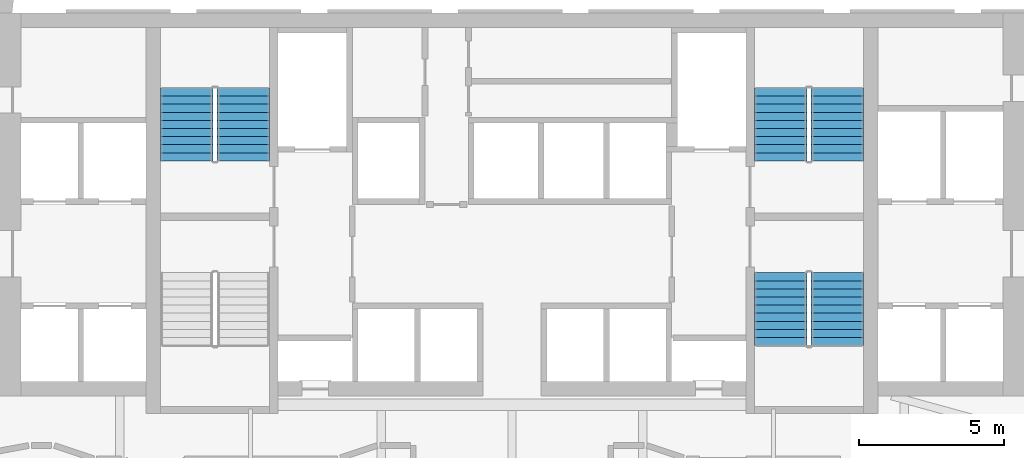
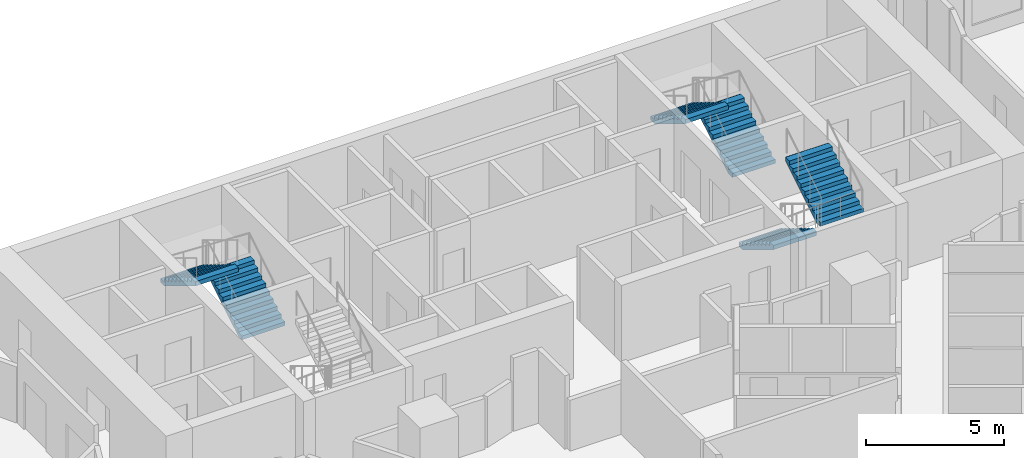
# One storey, part 11 of 12: 6 stair flights, 3 elements without a shape of their own.
"""IFC4 building model written with IfcOpenShell, lengths in metres."""

from ifc_helpers import new_model, si_unit, direction, frame, origin, place, context, subcontext, project, spatial, faceted_brep, source, transform, mapped, material, type_object, element, aggregate, save


model = new_model("IFC4")

# Units and contexts
model_context = context("Model", 3, precision=1e-05, world=origin(), true_north=direction((0.0, 1.0)))
body_context = subcontext(model_context, "Body", "Model", "MODEL_VIEW")
ifc_project = project(units=[si_unit("LENGTHUNIT", "METRE"), si_unit("AREAUNIT", "SQUARE_METRE"), si_unit("VOLUMEUNIT", "CUBIC_METRE"), si_unit("PLANEANGLEUNIT", "RADIAN"), si_unit("MASSUNIT", "GRAM", prefix="KILO")], contexts=[model_context])

# Site, building, storey
site_placement = place(None, origin())
site = spatial("IfcSite", under=ifc_project, at=site_placement, CompositionType="ELEMENT")
building_placement = place(site_placement, origin())
building = spatial("IfcBuilding", under=site, at=building_placement, Name="Calabash Gate Tower", CompositionType="ELEMENT")
storey_placement = place(building_placement, frame((0.0, 0.0, 80.0)))
storey = spatial("IfcBuildingStorey", under=building, at=storey_placement, Name="L16", CompositionType="ELEMENT", Elevation=80.0)

# Stair, stair flights
ifc_material_1 = material(Name="Concrete C40/50", Category="concrete")
stair_type = type_object("IfcStairType", Name="Exit stair 20 risers of 170 mm", PredefinedType="HALF_TURN_STAIR", material=ifc_material_1)
stair_1_placement = place(storey_placement, origin())
stair_1 = element("IfcStair", 1, at=stair_1_placement, inside=storey, type_object=stair_type, Name="L16 Exit stair ST1", PredefinedType="HALF_TURN_STAIR")
ifc_material_2 = material(Name="Concrete C40/50", Category="concrete")
stair_flight_type = type_object("IfcStairFlightType", Name="Exit stair flight SFL", PredefinedType="STRAIGHT", material=ifc_material_2)
shared_shape = source(origin(), body_context, "Body", "Brep", [
    faceted_brep([(-0.0009765625, -0.89990234375, 0.0), (0.2880859375, -0.89990234375, 0.0), (2.511962890625, -0.89990234375, 1.3544921875), (-0.0009765625, 0.89990234375, 0.0), (2.511962890625, 0.89990234375, 1.3544921875), (0.2880859375, 0.89990234375, 0.0), (2.511962890625, -0.89990234375, 1.5419921875), (2.510986328125, -0.89990234375, 1.5419921875), (2.510986328125, 0.89990234375, 1.5419921875), (2.511962890625, 0.89990234375, 1.5419921875), (2.510986328125, -0.89990234375, 1.530029296875), (2.510986328125, 0.89990234375, 1.530029296875), (2.23193359375, -0.89990234375, 1.530029296875), (2.23193359375, 0.89990234375, 1.530029296875), (2.23193359375, -0.89990234375, 1.360107421875), (2.23193359375, 0.89990234375, 1.360107421875), (1.952880859375, -0.89990234375, 1.360107421875), (1.952880859375, 0.89990234375, 1.360107421875), (1.952880859375, -0.89990234375, 1.18994140625), (1.952880859375, 0.89990234375, 1.18994140625), (1.674072265625, -0.89990234375, 1.18994140625), (1.674072265625, -0.89990234375, 1.02001953125), (1.674072265625, 0.89990234375, 1.02001953125), (1.674072265625, 0.89990234375, 1.18994140625), (1.39501953125, -0.89990234375, 1.02001953125), (1.39501953125, -0.89990234375, 0.85009765625), (1.39501953125, 0.89990234375, 0.85009765625), (1.39501953125, 0.89990234375, 1.02001953125), (1.115966796875, -0.89990234375, 0.85009765625), (1.115966796875, -0.89990234375, 0.679931640625), (1.115966796875, 0.89990234375, 0.679931640625), (1.115966796875, 0.89990234375, 0.85009765625), (0.8369140625, -0.89990234375, 0.679931640625), (0.8369140625, -0.89990234375, 0.510009765625), (0.8369140625, 0.89990234375, 0.510009765625), (0.8369140625, 0.89990234375, 0.679931640625), (0.55810546875, -0.89990234375, 0.510009765625), (0.55810546875, -0.89990234375, 0.340087890625), (0.55810546875, 0.89990234375, 0.340087890625), (0.55810546875, 0.89990234375, 0.510009765625), (0.279052734375, -0.89990234375, 0.340087890625), (0.279052734375, -0.89990234375, 0.169921875), (0.279052734375, 0.89990234375, 0.169921875), (0.279052734375, 0.89990234375, 0.340087890625), (-0.0009765625, -0.89990234375, 0.169921875), (-0.0009765625, 0.89990234375, 0.169921875), (0.2880859375, -0.360107421875, 0.0), (2.511962890625, -0.360107421875, 1.3544921875), (0.2880859375, -0.179931640625, 0.0), (2.511962890625, -0.179931640625, 1.3544921875), (0.2880859375, 0.0, 0.0), (2.511962890625, 0.0, 1.3544921875), (0.2880859375, 0.179931640625, 0.0), (2.511962890625, 0.179931640625, 1.3544921875), (0.2880859375, 0.360107421875, 0.0), (2.511962890625, 0.360107421875, 1.3544921875), (2.511962890625, -0.360107421875, 1.5419921875), (2.511962890625, -0.179931640625, 1.5419921875), (2.511962890625, 0.0, 1.5419921875), (2.511962890625, 0.179931640625, 1.5419921875), (2.511962890625, 0.360107421875, 1.5419921875), (2.510986328125, -0.360107421875, 1.5419921875), (2.510986328125, -0.179931640625, 1.5419921875), (2.510986328125, 0.0, 1.5419921875), (2.510986328125, 0.179931640625, 1.5419921875), (2.510986328125, 0.360107421875, 1.5419921875), (2.510986328125, -0.360107421875, 1.530029296875), (2.510986328125, -0.179931640625, 1.530029296875), (2.510986328125, 0.0, 1.530029296875), (2.510986328125, 0.179931640625, 1.530029296875), (2.510986328125, 0.360107421875, 1.530029296875), (2.23193359375, -0.360107421875, 1.530029296875), (2.23193359375, -0.179931640625, 1.530029296875), (2.23193359375, 0.0, 1.530029296875), (2.23193359375, 0.179931640625, 1.530029296875), (2.23193359375, 0.360107421875, 1.530029296875), (2.23193359375, -0.360107421875, 1.360107421875), (2.23193359375, -0.179931640625, 1.360107421875), (2.23193359375, 0.0, 1.360107421875), (2.23193359375, 0.179931640625, 1.360107421875), (2.23193359375, 0.360107421875, 1.360107421875), (1.952880859375, -0.360107421875, 1.360107421875), (1.952880859375, -0.179931640625, 1.360107421875), (1.952880859375, 0.0, 1.360107421875), (1.952880859375, 0.179931640625, 1.360107421875), (1.952880859375, 0.360107421875, 1.360107421875), (1.952880859375, -0.360107421875, 1.18994140625), (1.952880859375, -0.179931640625, 1.18994140625), (1.952880859375, 0.0, 1.18994140625), (1.952880859375, 0.179931640625, 1.18994140625), (1.952880859375, 0.360107421875, 1.18994140625), (1.674072265625, -0.360107421875, 1.18994140625), (1.674072265625, -0.179931640625, 1.18994140625), (1.674072265625, 0.0, 1.18994140625), (1.674072265625, 0.179931640625, 1.18994140625), (1.674072265625, 0.360107421875, 1.18994140625), (1.674072265625, -0.360107421875, 1.02001953125), (1.674072265625, -0.179931640625, 1.02001953125), (1.674072265625, 0.0, 1.02001953125), (1.674072265625, 0.179931640625, 1.02001953125), (1.674072265625, 0.360107421875, 1.02001953125), (1.39501953125, -0.360107421875, 1.02001953125), (1.39501953125, -0.179931640625, 1.02001953125), (1.39501953125, 0.0, 1.02001953125), (1.39501953125, 0.179931640625, 1.02001953125), (1.39501953125, 0.360107421875, 1.02001953125), (1.39501953125, -0.360107421875, 0.85009765625), (1.39501953125, -0.179931640625, 0.85009765625), (1.39501953125, 0.0, 0.85009765625), (1.39501953125, 0.179931640625, 0.85009765625), (1.39501953125, 0.360107421875, 0.85009765625), (1.115966796875, -0.360107421875, 0.85009765625), (1.115966796875, -0.179931640625, 0.85009765625), (1.115966796875, 0.0, 0.85009765625), (1.115966796875, 0.179931640625, 0.85009765625), (1.115966796875, 0.360107421875, 0.85009765625), (1.115966796875, -0.360107421875, 0.679931640625), (1.115966796875, -0.179931640625, 0.679931640625), (1.115966796875, 0.0, 0.679931640625), (1.115966796875, 0.179931640625, 0.679931640625), (1.115966796875, 0.360107421875, 0.679931640625), (0.8369140625, -0.360107421875, 0.679931640625), (0.8369140625, -0.179931640625, 0.679931640625), (0.8369140625, 0.0, 0.679931640625), (0.8369140625, 0.179931640625, 0.679931640625), (0.8369140625, 0.360107421875, 0.679931640625), (0.8369140625, -0.360107421875, 0.510009765625), (0.8369140625, -0.179931640625, 0.510009765625), (0.8369140625, 0.0, 0.510009765625), (0.8369140625, 0.179931640625, 0.510009765625), (0.8369140625, 0.360107421875, 0.510009765625), (0.55810546875, -0.360107421875, 0.510009765625), (0.55810546875, -0.179931640625, 0.510009765625), (0.55810546875, 0.0, 0.510009765625), (0.55810546875, 0.179931640625, 0.510009765625), (0.55810546875, 0.360107421875, 0.510009765625), (0.55810546875, -0.360107421875, 0.340087890625), (0.55810546875, -0.179931640625, 0.340087890625), (0.55810546875, 0.0, 0.340087890625), (0.55810546875, 0.179931640625, 0.340087890625), (0.55810546875, 0.360107421875, 0.340087890625), (0.279052734375, -0.360107421875, 0.340087890625), (0.279052734375, -0.179931640625, 0.340087890625), (0.279052734375, 0.0, 0.340087890625), (0.279052734375, 0.179931640625, 0.340087890625), (0.279052734375, 0.360107421875, 0.340087890625), (0.279052734375, -0.360107421875, 0.169921875), (0.279052734375, -0.179931640625, 0.169921875), (0.279052734375, 0.0, 0.169921875), (0.279052734375, 0.179931640625, 0.169921875), (0.279052734375, 0.360107421875, 0.169921875), (-0.0009765625, -0.360107421875, 0.169921875), (-0.0009765625, -0.179931640625, 0.169921875), (-0.0009765625, 0.0, 0.169921875), (-0.0009765625, 0.179931640625, 0.169921875), (-0.0009765625, 0.360107421875, 0.169921875), (-0.0009765625, -0.360107421875, 0.0), (-0.0009765625, -0.179931640625, 0.0), (-0.0009765625, 0.0, 0.0), (-0.0009765625, 0.179931640625, 0.0), (-0.0009765625, 0.360107421875, 0.0)], [[[0, 1, 2]], [[3, 4, 5]], [[2, 6, 7]], [[4, 8, 9]], [[2, 7, 10]], [[4, 11, 8]], [[2, 10, 12]], [[4, 13, 11]], [[2, 12, 14]], [[4, 15, 13]], [[2, 14, 16]], [[4, 17, 15]], [[2, 16, 18]], [[4, 19, 17]], [[18, 20, 21]], [[19, 22, 23]], [[2, 18, 21]], [[4, 22, 19]], [[21, 24, 25]], [[22, 26, 27]], [[2, 21, 25]], [[4, 26, 22]], [[25, 28, 29]], [[26, 30, 31]], [[2, 25, 29]], [[4, 30, 26]], [[29, 32, 33]], [[30, 34, 35]], [[2, 29, 33]], [[4, 34, 30]], [[33, 36, 37]], [[34, 38, 39]], [[2, 33, 37]], [[4, 38, 34]], [[37, 40, 41]], [[38, 42, 43]], [[2, 37, 41]], [[4, 42, 38]], [[0, 2, 41]], [[3, 42, 4]], [[41, 44, 0]], [[42, 3, 45]], [[1, 46, 2]], [[46, 47, 2]], [[46, 48, 47]], [[48, 49, 47]], [[48, 50, 49]], [[50, 51, 49]], [[50, 52, 53]], [[50, 53, 51]], [[52, 54, 55]], [[52, 55, 53]], [[54, 5, 4]], [[54, 4, 55]], [[2, 47, 6]], [[47, 56, 6]], [[47, 49, 56]], [[49, 57, 56]], [[49, 51, 57]], [[51, 58, 57]], [[51, 53, 59]], [[51, 59, 58]], [[53, 55, 60]], [[53, 60, 59]], [[55, 4, 9]], [[55, 9, 60]], [[6, 56, 7]], [[56, 61, 7]], [[56, 57, 61]], [[57, 62, 61]], [[57, 58, 62]], [[58, 63, 62]], [[58, 59, 64]], [[58, 64, 63]], [[59, 60, 65]], [[59, 65, 64]], [[60, 9, 8]], [[60, 8, 65]], [[7, 61, 10]], [[61, 66, 10]], [[61, 62, 66]], [[62, 67, 66]], [[62, 63, 67]], [[63, 68, 67]], [[63, 64, 69]], [[63, 69, 68]], [[64, 65, 70]], [[64, 70, 69]], [[65, 8, 11]], [[65, 11, 70]], [[10, 66, 12]], [[66, 71, 12]], [[66, 67, 71]], [[67, 72, 71]], [[67, 68, 72]], [[68, 73, 72]], [[68, 69, 74]], [[68, 74, 73]], [[69, 70, 75]], [[69, 75, 74]], [[70, 11, 13]], [[70, 13, 75]], [[12, 71, 14]], [[71, 76, 14]], [[71, 72, 76]], [[72, 77, 76]], [[72, 73, 77]], [[73, 78, 77]], [[73, 74, 79]], [[73, 79, 78]], [[74, 75, 80]], [[74, 80, 79]], [[75, 13, 15]], [[75, 15, 80]], [[14, 76, 16]], [[76, 81, 16]], [[76, 77, 81]], [[77, 82, 81]], [[77, 78, 82]], [[78, 83, 82]], [[78, 79, 84]], [[78, 84, 83]], [[79, 80, 85]], [[79, 85, 84]], [[80, 15, 17]], [[80, 17, 85]], [[16, 81, 18]], [[81, 86, 18]], [[81, 82, 86]], [[82, 87, 86]], [[82, 83, 87]], [[83, 88, 87]], [[83, 84, 89]], [[83, 89, 88]], [[84, 85, 90]], [[84, 90, 89]], [[85, 17, 19]], [[85, 19, 90]], [[18, 86, 20]], [[86, 91, 20]], [[86, 87, 91]], [[87, 92, 91]], [[87, 88, 92]], [[88, 93, 92]], [[88, 89, 94]], [[88, 94, 93]], [[89, 90, 95]], [[89, 95, 94]], [[90, 19, 23]], [[90, 23, 95]], [[20, 91, 21]], [[91, 96, 21]], [[91, 92, 96]], [[92, 97, 96]], [[92, 93, 97]], [[93, 98, 97]], [[93, 94, 99]], [[93, 99, 98]], [[94, 95, 100]], [[94, 100, 99]], [[95, 23, 22]], [[95, 22, 100]], [[21, 96, 24]], [[96, 101, 24]], [[96, 97, 101]], [[97, 102, 101]], [[97, 98, 102]], [[98, 103, 102]], [[98, 99, 104]], [[98, 104, 103]], [[99, 100, 105]], [[99, 105, 104]], [[100, 22, 27]], [[100, 27, 105]], [[24, 101, 25]], [[101, 106, 25]], [[101, 102, 106]], [[102, 107, 106]], [[102, 103, 107]], [[103, 108, 107]], [[103, 104, 109]], [[103, 109, 108]], [[104, 105, 110]], [[104, 110, 109]], [[105, 27, 26]], [[105, 26, 110]], [[25, 106, 28]], [[106, 111, 28]], [[106, 107, 111]], [[107, 112, 111]], [[107, 108, 112]], [[108, 113, 112]], [[108, 109, 114]], [[108, 114, 113]], [[109, 110, 115]], [[109, 115, 114]], [[110, 26, 31]], [[110, 31, 115]], [[28, 111, 29]], [[111, 116, 29]], [[111, 112, 116]], [[112, 117, 116]], [[112, 113, 117]], [[113, 118, 117]], [[113, 114, 119]], [[113, 119, 118]], [[114, 115, 120]], [[114, 120, 119]], [[115, 31, 30]], [[115, 30, 120]], [[29, 116, 32]], [[116, 121, 32]], [[116, 117, 121]], [[117, 122, 121]], [[117, 118, 122]], [[118, 123, 122]], [[118, 119, 124]], [[118, 124, 123]], [[119, 120, 125]], [[119, 125, 124]], [[120, 30, 35]], [[120, 35, 125]], [[32, 121, 33]], [[121, 126, 33]], [[121, 122, 126]], [[122, 127, 126]], [[122, 123, 127]], [[123, 128, 127]], [[123, 124, 129]], [[123, 129, 128]], [[124, 125, 130]], [[124, 130, 129]], [[125, 35, 34]], [[125, 34, 130]], [[33, 126, 36]], [[126, 131, 36]], [[126, 127, 131]], [[127, 132, 131]], [[127, 128, 132]], [[128, 133, 132]], [[128, 129, 134]], [[128, 134, 133]], [[129, 130, 135]], [[129, 135, 134]], [[130, 34, 39]], [[130, 39, 135]], [[36, 131, 37]], [[131, 136, 37]], [[131, 132, 136]], [[132, 137, 136]], [[132, 133, 137]], [[133, 138, 137]], [[133, 134, 139]], [[133, 139, 138]], [[134, 135, 140]], [[134, 140, 139]], [[135, 39, 38]], [[135, 38, 140]], [[37, 136, 40]], [[136, 141, 40]], [[136, 137, 141]], [[137, 142, 141]], [[137, 138, 142]], [[138, 143, 142]], [[138, 139, 144]], [[138, 144, 143]], [[139, 140, 145]], [[139, 145, 144]], [[140, 38, 43]], [[140, 43, 145]], [[40, 141, 41]], [[141, 146, 41]], [[141, 142, 146]], [[142, 147, 146]], [[142, 143, 147]], [[143, 148, 147]], [[143, 144, 149]], [[143, 149, 148]], [[144, 145, 150]], [[144, 150, 149]], [[145, 43, 42]], [[145, 42, 150]], [[41, 146, 44]], [[146, 151, 44]], [[146, 147, 151]], [[147, 152, 151]], [[147, 148, 152]], [[148, 153, 152]], [[148, 149, 154]], [[148, 154, 153]], [[149, 150, 155]], [[149, 155, 154]], [[150, 42, 45]], [[150, 45, 155]], [[44, 151, 0]], [[151, 156, 0]], [[151, 152, 156]], [[152, 157, 156]], [[152, 153, 157]], [[153, 158, 157]], [[153, 154, 159]], [[153, 159, 158]], [[154, 155, 160]], [[154, 160, 159]], [[155, 45, 3]], [[155, 3, 160]], [[0, 156, 1]], [[156, 46, 1]], [[156, 157, 46]], [[157, 48, 46]], [[157, 158, 48]], [[158, 50, 48]], [[158, 159, 52]], [[158, 52, 50]], [[159, 160, 54]], [[159, 54, 52]], [[160, 3, 5]], [[160, 5, 54]]]),
])
stair_flight_1_placement = place(storey_placement, frame((-9.25, 13.95263671875, 0.0), z_axis=(0.0, 0.0, 1.0), x_axis=(0.0, 1.0, 0.0)))
stair_flight_1 = element("IfcStairFlight", 2, at=stair_flight_1_placement, type_object=stair_flight_type, Name="ST1 flight 1", NumberOfRisers=10, NumberOfTreads=9, PredefinedType="STRAIGHT", RiserHeight=0.17, TreadLength=0.279, context=body_context, shape_type="MappedRepresentation", body=[
    mapped(shared_shape, transform((0.0, 0.0, 0.0), scale=1.0)),
])
stair_flight_2_placement = place(storey_placement, frame((-11.199951171875, 16.463623046875, 1.699951171875), z_axis=(0.0, 0.0, 1.0), x_axis=(0.0, -1.0, 0.0)))
stair_flight_2 = element("IfcStairFlight", 3, at=stair_flight_2_placement, type_object=stair_flight_type, Name="ST1 flight 2", NumberOfRisers=10, NumberOfTreads=9, PredefinedType="STRAIGHT", RiserHeight=0.17, TreadLength=0.279, context=body_context, shape_type="MappedRepresentation", body=[
    mapped(shared_shape, transform((0.0, 0.0, 0.0), scale=1.0)),
])
aggregate(stair_1, [stair_flight_1, stair_flight_2])

stair_2_placement = place(storey_placement, origin())
stair_2 = element("IfcStair", 4, at=stair_2_placement, inside=storey, type_object=stair_type, Name="L16 Exit stair ST3", PredefinedType="HALF_TURN_STAIR")
stair_flight_3_placement = place(storey_placement, frame((11.199951171875, 13.95263671875, 0.0), z_axis=(0.0, 0.0, 1.0), x_axis=(0.0, 1.0, 0.0)))
stair_flight_3 = element("IfcStairFlight", 5, at=stair_flight_3_placement, type_object=stair_flight_type, Name="ST3 flight 1", NumberOfRisers=10, NumberOfTreads=9, PredefinedType="STRAIGHT", RiserHeight=0.17, TreadLength=0.279, context=body_context, shape_type="MappedRepresentation", body=[
    mapped(shared_shape, transform((0.0, 0.0, 0.0), scale=1.0)),
])
stair_flight_4_placement = place(storey_placement, frame((9.25, 16.463623046875, 1.699951171875), z_axis=(0.0, 0.0, 1.0), x_axis=(0.0, -1.0, 0.0)))
stair_flight_4 = element("IfcStairFlight", 6, at=stair_flight_4_placement, type_object=stair_flight_type, Name="ST3 flight 2", NumberOfRisers=10, NumberOfTreads=9, PredefinedType="STRAIGHT", RiserHeight=0.17, TreadLength=0.279, context=body_context, shape_type="MappedRepresentation", body=[
    mapped(shared_shape, transform((0.0, 0.0, 0.0), scale=1.0)),
])
aggregate(stair_2, [stair_flight_3, stair_flight_4])

stair_3_placement = place(storey_placement, origin())
stair_3 = element("IfcStair", 7, at=stair_3_placement, inside=storey, type_object=stair_type, Name="L16 Exit stair ST4", PredefinedType="HALF_TURN_STAIR")
stair_flight_5_placement = place(storey_placement, frame((9.25, 10.1025390625, 0.0), z_axis=(0.0, 0.0, 1.0), x_axis=(0.0, -1.0, 0.0)))
stair_flight_5 = element("IfcStairFlight", 8, at=stair_flight_5_placement, type_object=stair_flight_type, Name="ST4 flight 1", NumberOfRisers=10, NumberOfTreads=9, PredefinedType="STRAIGHT", RiserHeight=0.17, TreadLength=0.279, context=body_context, shape_type="MappedRepresentation", body=[
    mapped(shared_shape, transform((0.0, 0.0, 0.0), scale=1.0)),
])
stair_flight_6_placement = place(storey_placement, frame((11.199951171875, 7.591552734375, 1.699951171875), z_axis=(0.0, 0.0, 1.0), x_axis=(0.0, 1.0, 0.0)))
stair_flight_6 = element("IfcStairFlight", 9, at=stair_flight_6_placement, type_object=stair_flight_type, Name="ST4 flight 2", NumberOfRisers=10, NumberOfTreads=9, PredefinedType="STRAIGHT", RiserHeight=0.17, TreadLength=0.279, context=body_context, shape_type="MappedRepresentation", body=[
    mapped(shared_shape, transform((0.0, 0.0, 0.0), scale=1.0)),
])
aggregate(stair_3, [stair_flight_5, stair_flight_6])

save(model, "model.ifc")
